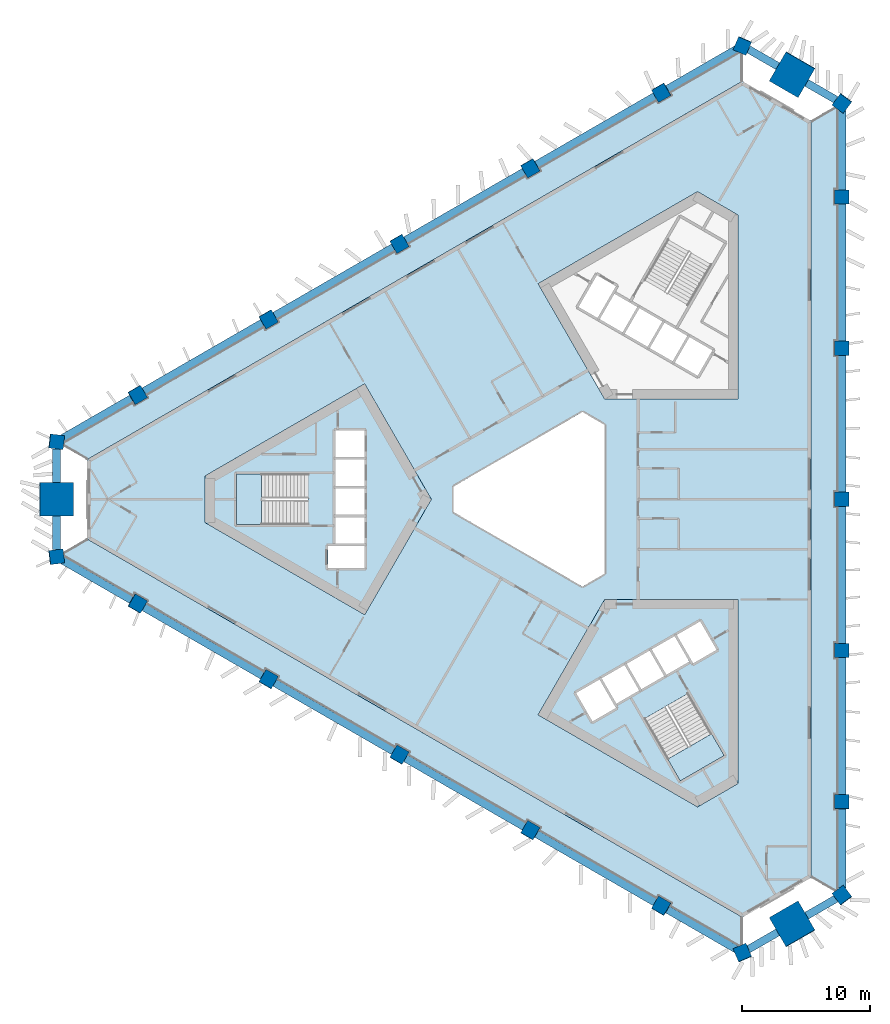
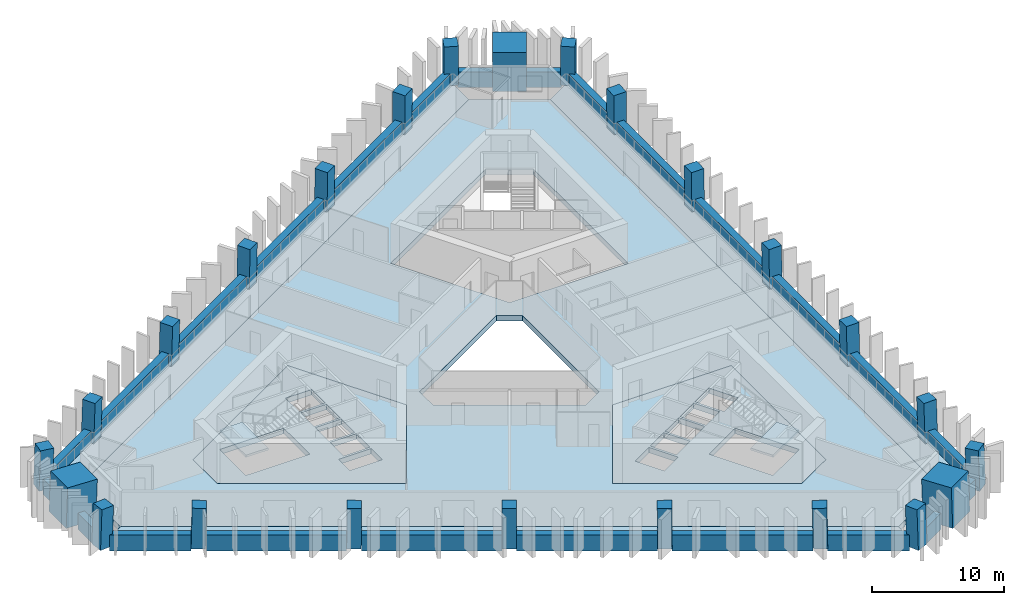
# One storey, part 1 of 11: 24 beams, 24 columns, 8 slabs, 2 elements without a shape of their own.
"""IFC4 building model written with IfcOpenShell, lengths in metres."""

from ifc_helpers import new_model, si_unit, direction, frame, origin, origin_2d, place, context, subcontext, project, spatial, polyline, rectangle, outline, extrude, material, layer, layer_set, material_profile, profile_set, type_object, element, aggregate, save


model = new_model("IFC4")

# Units and contexts
model_context = context("Model", 3, precision=1e-05, world=origin(), true_north=direction((0.0, 1.0)))
body_context = subcontext(model_context, "Body", "Model", "MODEL_VIEW")
ifc_project = project(units=[si_unit("LENGTHUNIT", "METRE"), si_unit("AREAUNIT", "SQUARE_METRE"), si_unit("VOLUMEUNIT", "CUBIC_METRE"), si_unit("PLANEANGLEUNIT", "RADIAN"), si_unit("MASSUNIT", "GRAM", prefix="KILO")], contexts=[model_context])

# Site, building, storey
site_placement = place(None, origin())
site = spatial("IfcSite", under=ifc_project, at=site_placement, CompositionType="ELEMENT")
building_placement = place(site_placement, origin())
building = spatial("IfcBuilding", under=site, at=building_placement, Name="Jabali Bay Hotel Tower and Convention Centre", CompositionType="ELEMENT")
storey_placement = place(building_placement, frame((0.0, 0.0, 83.199951171875)))
storey = spatial("IfcBuildingStorey", under=building, at=storey_placement, Name="L19", CompositionType="ELEMENT", Elevation=83.199951171875)

# Columns
ifc_material_1 = material(Name="Concrete C60", Category="concrete")
ifc_material_profile_1 = material_profile(ifc_material_1, rectangle(XDim=1.10009765625, YDim=1.10009765625, at=origin_2d()), Name="Frame column 1100")
ifc_profile_set_1 = profile_set([ifc_material_profile_1], Name="Concrete C60")
column_type_1 = type_object("IfcColumnType", Name="Frame column 1100", PredefinedType="COLUMN", material=ifc_profile_set_1)
column_1_placement = place(storey_placement, frame((83.90283203125, 111.67041015625, 0.0), z_axis=(-0.00837646992, -0.028097450282, 0.999570091609), x_axis=(0.866168540849, 0.499298149106, 0.021293593943)))
element("IfcColumn", 1, at=column_1_placement, inside=storey, type_object=column_type_1, Name="FC2 F1.1 L19", PredefinedType="COLUMN", context=body_context, shape_type="SweptSolid", body=[
    extrude(rectangle(XDim=1.10009765625, YDim=1.10009765625, at=origin_2d()), origin(), (0.0, 0.0, 1.0), 3.70166015625),
])
column_2_placement = place(storey_placement, frame((73.70751953125, 105.7841796875, 0.0), z_axis=(0.000857578916, -0.022824792675, 0.999739112668), x_axis=(0.866054076895, 0.49983648719, 0.010668737814)))
element("IfcColumn", 2, at=column_2_placement, inside=storey, type_object=column_type_1, Name="FC2 F1.2 L19", PredefinedType="COLUMN", context=body_context, shape_type="SweptSolid", body=[
    extrude(rectangle(XDim=1.10009765625, YDim=1.10009765625, at=origin_2d()), origin(), (0.0, 0.0, 1.0), 3.700927734375),
])
column_3_placement = place(storey_placement, frame((63.511962890625, 99.897705078125, 0.0), z_axis=(0.010093620709, -0.017482414954, 0.999796221231), x_axis=(-0.499897086036, 0.865849517735, 0.020187025824)))
element("IfcColumn", 3, at=column_3_placement, inside=storey, type_object=column_type_1, Name="FC2 F1.3 L19", PredefinedType="COLUMN", context=body_context, shape_type="SweptSolid", body=[
    extrude(rectangle(XDim=1.10009765625, YDim=1.10009765625, at=origin_2d()), origin(), (0.0, 0.0, 1.0), 3.70068359375),
])
column_4_placement = place(storey_placement, frame((53.316650390625, 94.011474609375, 0.0), z_axis=(0.019328516974, -0.012138044789, 0.999739504221), x_axis=(-0.500200160538, 0.865674608258, 0.020180981521)))
element("IfcColumn", 4, at=column_4_placement, inside=storey, type_object=column_type_1, Name="FC2 F1.4 L19", PredefinedType="COLUMN", context=body_context, shape_type="SweptSolid", body=[
    extrude(rectangle(XDim=1.10009765625, YDim=1.10009765625, at=origin_2d()), origin(), (0.0, 0.0, 1.0), 3.700927734375),
])
for number, where, z_axis, x_axis, name in (
    (5, (43.12109375, 88.125, 0.0), (0.02855911485, -0.006793507689, 0.999569019734), (-0.500405785832, 0.865555785013, 0.020180003373), "FC2 F1.5 L19"),
    (6, (43.12109375, 71.875, 0.0), (0.02855911485, 0.006793507689, 0.999569019734), (-0.865319840559, 0.500766443848, 0.021319996519), "FC2 F2.1 L19"),
):
    element("IfcColumn", number, at=place(storey_placement, frame(where, z_axis=z_axis, x_axis=x_axis)), inside=storey, type_object=column_type_1, Name=name, PredefinedType="COLUMN", context=body_context, shape_type="SweptSolid", body=[
        extrude(rectangle(XDim=1.10009765625, YDim=1.10009765625, at=origin_2d()), origin(), (0.0, 0.0, 1.0), 3.70166015625),
    ])
column_5_placement = place(storey_placement, frame((53.316650390625, 65.988525390625, 0.0), z_axis=(0.019328516974, 0.012138044789, 0.999739504221), x_axis=(-0.865694061334, 0.500459928951, 0.010660754407)))
element("IfcColumn", 7, at=column_5_placement, inside=storey, type_object=column_type_1, Name="FC2 F2.2 L19", PredefinedType="COLUMN", context=body_context, shape_type="SweptSolid", body=[
    extrude(rectangle(XDim=1.10009765625, YDim=1.10009765625, at=origin_2d()), origin(), (0.0, 0.0, 1.0), 3.700927734375),
])
column_6_placement = place(storey_placement, frame((63.511962890625, 60.102294921875, 0.0), z_axis=(0.010093620709, 0.017482414954, 0.999796221231), x_axis=(-0.866025993948, 0.499998977805, 1.48331e-07)))
element("IfcColumn", 8, at=column_6_placement, inside=storey, type_object=column_type_1, Name="FC2 F2.3 L19", PredefinedType="COLUMN", context=body_context, shape_type="SweptSolid", body=[
    extrude(rectangle(XDim=1.10009765625, YDim=1.10009765625, at=origin_2d()), origin(), (0.0, 0.0, 1.0), 3.70068359375),
])
column_7_placement = place(storey_placement, frame((73.70751953125, 54.2158203125, 0.0), z_axis=(0.000857578916, 0.022824792675, 0.999739112668), x_axis=(-0.499949597911, -0.865818985073, 0.020196153983)))
element("IfcColumn", 9, at=column_7_placement, inside=storey, type_object=column_type_1, Name="FC2 F2.4 L19", PredefinedType="COLUMN", context=body_context, shape_type="SweptSolid", body=[
    extrude(rectangle(XDim=1.10009765625, YDim=1.10009765625, at=origin_2d()), origin(), (0.0, 0.0, 1.0), 3.700927734375),
])
for number, where, z_axis, x_axis, name in (
    (10, (83.90283203125, 48.32958984375, 0.0), (-0.00837646992, 0.028097450282, 0.999570091609), (-0.49968179234, -0.865974532874, 0.020154771585), "FC2 F2.5 L19"),
    (11, (97.975830078125, 56.45458984375, 0.0), (-0.020116730082, 0.021303946939, 0.999570637332), (-0.001404824777, -0.999772568637, 0.0212799781), "FC2 F0.1 L19"),
):
    element("IfcColumn", number, at=place(storey_placement, frame(where, z_axis=z_axis, x_axis=x_axis)), inside=storey, type_object=column_type_1, Name=name, PredefinedType="COLUMN", context=body_context, shape_type="SweptSolid", body=[
        extrude(rectangle(XDim=1.10009765625, YDim=1.10009765625, at=origin_2d()), origin(), (0.0, 0.0, 1.0), 3.70166015625),
    ])
column_8_placement = place(storey_placement, frame((97.975830078125, 68.227294921875, 0.0), z_axis=(-0.020120147678, 0.010686766963, 0.999740452652), x_axis=(-0.002377558037, -0.999940555798, 0.010641056736)))
element("IfcColumn", 12, at=column_8_placement, inside=storey, type_object=column_type_1, Name="FC2 F0.2 L19", PredefinedType="COLUMN", context=body_context, shape_type="SweptSolid", body=[
    extrude(rectangle(XDim=1.10009765625, YDim=1.10009765625, at=origin_2d()), origin(), (0.0, 0.0, 1.0), 3.700927734375),
])
column_9_placement = place(storey_placement, frame((97.975830078125, 80.0, 0.0), z_axis=(-0.020121296707, 0.0, 0.999797546216), x_axis=(0.0, -1.0, 0.0)))
element("IfcColumn", 13, at=column_9_placement, inside=storey, type_object=column_type_1, Name="FC2 F0.3 L19", PredefinedType="COLUMN", context=body_context, shape_type="SweptSolid", body=[
    extrude(rectangle(XDim=1.10009765625, YDim=1.10009765625, at=origin_2d()), origin(), (0.0, 0.0, 1.0), 3.70068359375),
])
column_10_placement = place(storey_placement, frame((97.975830078125, 91.772705078125, 0.0), z_axis=(-0.020120147678, -0.010686766963, 0.999740452652), x_axis=(0.999794742372, 0.002162841315, 0.02014436006)))
element("IfcColumn", 14, at=column_10_placement, inside=storey, type_object=column_type_1, Name="FC2 F0.4 L19", PredefinedType="COLUMN", context=body_context, shape_type="SweptSolid", body=[
    extrude(rectangle(XDim=1.10009765625, YDim=1.10009765625, at=origin_2d()), origin(), (0.0, 0.0, 1.0), 3.700927734375),
])
column_11_placement = place(storey_placement, frame((97.975830078125, 103.54541015625, 0.0), z_axis=(-0.020116730082, -0.021303946939, 0.999570637332), x_axis=(0.999796651144, 0.000976138023, 0.020142083219)))
element("IfcColumn", 15, at=column_11_placement, inside=storey, type_object=column_type_1, Name="FC2 F0.5 L19", PredefinedType="COLUMN", context=body_context, shape_type="SweptSolid", body=[
    extrude(rectangle(XDim=1.10009765625, YDim=1.10009765625, at=origin_2d()), origin(), (0.0, 0.0, 1.0), 3.70166015625),
])
for number, where, z_axis, x_axis, name in (
    (16, (97.975830078125, 49.159423828125, 0.0), (-0.020112863473, 0.028949334638, 0.999378511249), (-0.802310416171, -0.596905928445, 0.001143980578), "FC2 V0 L19"),
    (17, (97.975830078125, 110.840576171875, 0.0), (-0.020112863473, -0.028949334638, 0.999378511249), (0.596568075602, 0.801788780547, 0.035231840166), "FC2 V1 L19"),
    (18, (90.220947265625, 115.318115234375, 0.0), (-0.015035141917, -0.031982648376, 0.99937533225), (0.918310624747, -0.395858915269, 0.001147030586), "FC2 V2 L19"),
    (19, (36.80322265625, 84.4775390625, 0.0), (0.035213880193, -0.00303340541, 0.999375195356), (-0.992377772026, 0.118061232181, 0.035325671194), "FC2 V3 L19"),
    (20, (36.80322265625, 75.5224609375, 0.0), (0.035213880193, 0.00303340541, 0.999375195356), (-0.118094624057, 0.993001683738, 0.001147109983), "FC2 V4 L19"),
    (21, (90.220947265625, 44.681884765625, 0.0), (-0.015035141917, 0.031982648376, 0.99937533225), (0.395574949895, -0.917754231483, 0.035321800782), "FC2 V5 L19"),
):
    element("IfcColumn", number, at=place(storey_placement, frame(where, z_axis=z_axis, x_axis=x_axis)), inside=storey, type_object=column_type_1, Name=name, PredefinedType="COLUMN", context=body_context, shape_type="SweptSolid", body=[
        extrude(rectangle(XDim=1.10009765625, YDim=1.10009765625, at=origin_2d()), origin(), (0.0, 0.0, 1.0), 3.7021484375),
    ])
ifc_material_2 = material(Name="Concrete C70", Category="concrete")
ifc_material_profile_2 = material_profile(ifc_material_2, rectangle(XDim=2.60009765625, YDim=2.60009765625, at=origin_2d()), Name="Mega column 2600")
ifc_profile_set_2 = profile_set([ifc_material_profile_2], Name="Concrete C70")
column_type_2 = type_object("IfcColumnType", Name="Mega column 2600", PredefinedType="COLUMN", material=ifc_profile_set_2)
for number, where, z_axis, x_axis, name in (
    (22, (94.098388671875, 113.079345703125, 0.0), (-0.017607037296, -0.030466109479, 0.999380712447), (0.86581098392, -0.500371202332, 2.457e-09), "MC2 M1 L19"),
    (23, (36.80322265625, 80.0, 0.0), (0.035214042205, 0.0, 0.999379793288), (0.0, 1.0, 0.0), "MC2 M0 L19"),
    (24, (94.098388671875, 46.920654296875, 0.0), (-0.017607037296, 0.030466109479, 0.999380712447), (-0.865809063816, -0.500374524745, 1.32655e-07), "MC2 M2 L19"),
):
    element("IfcColumn", number, at=place(storey_placement, frame(where, z_axis=z_axis, x_axis=x_axis)), inside=storey, type_object=column_type_2, Name=name, PredefinedType="COLUMN", context=body_context, shape_type="SweptSolid", body=[
        extrude(rectangle(XDim=2.60009765625, YDim=2.60009765625, at=origin_2d()), origin(), (0.0, 0.0, 1.0), 3.7021484375),
    ])

# Beams
ifc_material_profile_3 = material_profile(ifc_material_1, rectangle(XDim=0.60009765625, YDim=1.449951171875, at=origin_2d()), Name="Spandrel 600x1450")
ifc_profile_set_3 = profile_set([ifc_material_profile_3], Name="Concrete C60")
beam_type = type_object("IfcBeamType", Name="Spandrel 600x1450", PredefinedType="SPANDREL", material=ifc_profile_set_3)
beam_1_placement = place(storey_placement, frame((92.966064453125, 113.718017578125, 0.375), z_axis=(-0.86607259277, 0.49991825737, 0.0), x_axis=(-0.49991825737, -0.86607259277, 0.0)))
element("IfcBeam", 25, at=beam_1_placement, inside=storey, type_object=beam_type, Name="Spandrel M1-V2 L19", PredefinedType="SPANDREL", context=body_context, shape_type="SweptSolid", body=[
    extrude(rectangle(XDim=0.60009765625, YDim=1.449951171875, at=origin_2d()), origin(), (0.0, 0.0, 1.0), 2.62646484375),
])
beam_2_placement = place(storey_placement, frame((89.73876953125, 115.031005859375, 0.375), z_axis=(-0.866016844604, -0.500014824642, 0.0), x_axis=(0.500014824642, -0.866016844604, 0.0)))
element("IfcBeam", 26, at=beam_2_placement, inside=storey, type_object=beam_type, Name="Spandrel V2-F1.1 L19", PredefinedType="SPANDREL", context=body_context, shape_type="SweptSolid", body=[
    extrude(rectangle(XDim=0.60009765625, YDim=1.449951171875, at=origin_2d()), origin(), (0.0, 0.0, 1.0), 6.192138671875),
])
beam_3_placement = place(storey_placement, frame((83.423583984375, 111.385009765625, 0.375), z_axis=(-0.866023629481, -0.500003073171, 0.0), x_axis=(0.500003073171, -0.866023629481, 0.0)))
element("IfcBeam", 27, at=beam_3_placement, inside=storey, type_object=beam_type, Name="Spandrel F1.1-F1.2 L19", PredefinedType="SPANDREL", context=body_context, shape_type="SweptSolid", body=[
    extrude(rectangle(XDim=0.60009765625, YDim=1.449951171875, at=origin_2d()), origin(), (0.0, 0.0, 1.0), 10.6689453125),
])
beam_4_placement = place(storey_placement, frame((73.2314453125, 105.50048828125, 0.375), z_axis=(-0.866027817511, -0.499995819279, 0.0), x_axis=(0.499995819279, -0.866027817511, 0.0)))
element("IfcBeam", 28, at=beam_4_placement, inside=storey, type_object=beam_type, Name="Spandrel F1.2-F1.3 L19", PredefinedType="SPANDREL", context=body_context, shape_type="SweptSolid", body=[
    extrude(rectangle(XDim=0.60009765625, YDim=1.449951171875, at=origin_2d()), origin(), (0.0, 0.0, 1.0), 10.66845703125),
])
beam_5_placement = place(storey_placement, frame((63.03955078125, 99.6162109375, 0.375), z_axis=(-0.866023629481, -0.500003073171, 0.0), x_axis=(0.500003073171, -0.866023629481, 0.0)))
element("IfcBeam", 29, at=beam_5_placement, inside=storey, type_object=beam_type, Name="Spandrel F1.3-F1.4 L19", PredefinedType="SPANDREL", context=body_context, shape_type="SweptSolid", body=[
    extrude(rectangle(XDim=0.60009765625, YDim=1.449951171875, at=origin_2d()), origin(), (0.0, 0.0, 1.0), 10.6689453125),
])
beam_6_placement = place(storey_placement, frame((52.847412109375, 93.73193359375, 0.375), z_axis=(-0.866017908382, -0.500012982194, 0.0), x_axis=(0.500012982194, -0.866017908382, 0.0)))
element("IfcBeam", 30, at=beam_6_placement, inside=storey, type_object=beam_type, Name="Spandrel F1.4-F1.5 L19", PredefinedType="SPANDREL", context=body_context, shape_type="SweptSolid", body=[
    extrude(rectangle(XDim=0.60009765625, YDim=1.449951171875, at=origin_2d()), origin(), (0.0, 0.0, 1.0), 10.668701171875),
])
beam_7_placement = place(storey_placement, frame((42.655517578125, 87.847412109375, 0.375), z_axis=(-0.866026701465, -0.499997752344, 0.0), x_axis=(0.499997752344, -0.866026701465, 0.0)))
element("IfcBeam", 31, at=beam_7_placement, inside=storey, type_object=beam_type, Name="Spandrel F1.5-V3 L19", PredefinedType="SPANDREL", context=body_context, shape_type="SweptSolid", body=[
    extrude(rectangle(XDim=0.60009765625, YDim=1.449951171875, at=origin_2d()), origin(), (0.0, 0.0, 1.0), 6.1923828125),
])
for number, where, z_axis, x_axis, name in (
    (32, (36.81640625, 83.92626953125, 0.375), (0.0, -1.0, 0.0), (1.0, 0.0, 0.0), "Spandrel V3-M0 L19"),
    (33, (36.81640625, 78.699951171875, 0.375), (0.0, -1.0, 0.0), (1.0, 0.0, 0.0), "Spandrel M0-V4 L19"),
):
    element("IfcBeam", number, at=place(storey_placement, frame(where, z_axis=z_axis, x_axis=x_axis)), inside=storey, type_object=beam_type, Name=name, PredefinedType="SPANDREL", context=body_context, shape_type="SweptSolid", body=[
        extrude(rectangle(XDim=0.60009765625, YDim=1.449951171875, at=origin_2d()), origin(), (0.0, 0.0, 1.0), 2.626220703125),
    ])
beam_8_placement = place(storey_placement, frame((37.292724609375, 75.248779296875, 0.375), z_axis=(0.866026701465, -0.499997752344, 0.0), x_axis=(0.499997752344, 0.866026701465, 0.0)))
element("IfcBeam", 34, at=beam_8_placement, inside=storey, type_object=beam_type, Name="Spandrel V4-F2.1 L19", PredefinedType="SPANDREL", context=body_context, shape_type="SweptSolid", body=[
    extrude(rectangle(XDim=0.60009765625, YDim=1.449951171875, at=origin_2d()), origin(), (0.0, 0.0, 1.0), 6.1923828125),
])
beam_9_placement = place(storey_placement, frame((43.608154296875, 71.6025390625, 0.375), z_axis=(0.866017908382, -0.500012982194, 0.0), x_axis=(0.500012982194, 0.866017908382, 0.0)))
element("IfcBeam", 35, at=beam_9_placement, inside=storey, type_object=beam_type, Name="Spandrel F2.1-F2.2 L19", PredefinedType="SPANDREL", context=body_context, shape_type="SweptSolid", body=[
    extrude(rectangle(XDim=0.60009765625, YDim=1.449951171875, at=origin_2d()), origin(), (0.0, 0.0, 1.0), 10.668701171875),
])
beam_10_placement = place(storey_placement, frame((53.800048828125, 65.71826171875, 0.375), z_axis=(0.866023629481, -0.500003073171, 0.0), x_axis=(0.500003073171, 0.866023629481, 0.0)))
element("IfcBeam", 36, at=beam_10_placement, inside=storey, type_object=beam_type, Name="Spandrel F2.2-F2.3 L19", PredefinedType="SPANDREL", context=body_context, shape_type="SweptSolid", body=[
    extrude(rectangle(XDim=0.60009765625, YDim=1.449951171875, at=origin_2d()), origin(), (0.0, 0.0, 1.0), 10.6689453125),
])
beam_11_placement = place(storey_placement, frame((63.9921875, 59.833740234375, 0.375), z_axis=(0.866027817511, -0.499995819279, 0.0), x_axis=(0.499995819279, 0.866027817511, 0.0)))
element("IfcBeam", 37, at=beam_11_placement, inside=storey, type_object=beam_type, Name="Spandrel F2.3-F2.4 L19", PredefinedType="SPANDREL", context=body_context, shape_type="SweptSolid", body=[
    extrude(rectangle(XDim=0.60009765625, YDim=1.449951171875, at=origin_2d()), origin(), (0.0, 0.0, 1.0), 10.66845703125),
])
beam_12_placement = place(storey_placement, frame((74.18408203125, 53.949462890625, 0.375), z_axis=(0.866023629481, -0.500003073171, 0.0), x_axis=(0.500003073171, 0.866023629481, 0.0)))
element("IfcBeam", 38, at=beam_12_placement, inside=storey, type_object=beam_type, Name="Spandrel F2.4-F2.5 L19", PredefinedType="SPANDREL", context=body_context, shape_type="SweptSolid", body=[
    extrude(rectangle(XDim=0.60009765625, YDim=1.449951171875, at=origin_2d()), origin(), (0.0, 0.0, 1.0), 10.6689453125),
])
beam_13_placement = place(storey_placement, frame((84.376220703125, 48.065185546875, 0.375), z_axis=(0.866016844604, -0.500014824642, 0.0), x_axis=(0.500014824642, 0.866016844604, 0.0)))
element("IfcBeam", 39, at=beam_13_placement, inside=storey, type_object=beam_type, Name="Spandrel F2.5-V5 L19", PredefinedType="SPANDREL", context=body_context, shape_type="SweptSolid", body=[
    extrude(rectangle(XDim=0.60009765625, YDim=1.449951171875, at=origin_2d()), origin(), (0.0, 0.0, 1.0), 6.192138671875),
])
beam_14_placement = place(storey_placement, frame((90.69140625, 44.968994140625, 0.375), z_axis=(0.86607259277, 0.49991825737, 0.0), x_axis=(-0.49991825737, 0.86607259277, 0.0)))
element("IfcBeam", 40, at=beam_14_placement, inside=storey, type_object=beam_type, Name="Spandrel V5-M2 L19", PredefinedType="SPANDREL", context=body_context, shape_type="SweptSolid", body=[
    extrude(rectangle(XDim=0.60009765625, YDim=1.449951171875, at=origin_2d()), origin(), (0.0, 0.0, 1.0), 2.62646484375),
])
beam_15_placement = place(storey_placement, frame((95.217529296875, 47.58203125, 0.375), z_axis=(0.866009105372, 0.500028228617, 0.0), x_axis=(-0.500028228617, 0.866009105372, 0.0)))
element("IfcBeam", 41, at=beam_15_placement, inside=storey, type_object=beam_type, Name="Spandrel M2-V0 L19", PredefinedType="SPANDREL", context=body_context, shape_type="SweptSolid", body=[
    extrude(rectangle(XDim=0.60009765625, YDim=1.449951171875, at=origin_2d()), origin(), (0.0, 0.0, 1.0), 2.626220703125),
])
beam_16_placement = place(storey_placement, frame((97.96826171875, 49.72021484375, 0.375), z_axis=(0.0, 1.0, 0.0), x_axis=(-1.0, 0.0, 0.0)))
element("IfcBeam", 42, at=beam_16_placement, inside=storey, type_object=beam_type, Name="Spandrel V0-F0.1 L19", PredefinedType="SPANDREL", context=body_context, shape_type="SweptSolid", body=[
    extrude(rectangle(XDim=0.60009765625, YDim=1.449951171875, at=origin_2d()), origin(), (0.0, 0.0, 1.0), 6.1923828125),
])
for number, where, z_axis, x_axis, name in (
    (43, (97.96826171875, 57.0126953125, 0.375), (0.0, 1.0, 0.0), (-1.0, 0.0, 0.0), "Spandrel F0.1-F0.2 L19"),
    (44, (97.96826171875, 68.78125, 0.375), (0.0, 1.0, 0.0), (-1.0, 0.0, 0.0), "Spandrel F0.2-F0.3 L19"),
    (45, (97.96826171875, 80.550048828125, 0.375), (0.0, 1.0, 0.0), (-1.0, 0.0, 0.0), "Spandrel F0.3-F0.4 L19"),
    (46, (97.96826171875, 92.318603515625, 0.375), (0.0, 1.0, 0.0), (-1.0, 0.0, 0.0), "Spandrel F0.4-F0.5 L19"),
):
    element("IfcBeam", number, at=place(storey_placement, frame(where, z_axis=z_axis, x_axis=x_axis)), inside=storey, type_object=beam_type, Name=name, PredefinedType="SPANDREL", context=body_context, shape_type="SweptSolid", body=[
        extrude(rectangle(XDim=0.60009765625, YDim=1.449951171875, at=origin_2d()), origin(), (0.0, 0.0, 1.0), 10.668701171875),
    ])
beam_17_placement = place(storey_placement, frame((97.96826171875, 104.08740234375, 0.375), z_axis=(0.0, 1.0, 0.0), x_axis=(-1.0, 0.0, 0.0)))
element("IfcBeam", 47, at=beam_17_placement, inside=storey, type_object=beam_type, Name="Spandrel F0.5-V1 L19", PredefinedType="SPANDREL", context=body_context, shape_type="SweptSolid", body=[
    extrude(rectangle(XDim=0.60009765625, YDim=1.449951171875, at=origin_2d()), origin(), (0.0, 0.0, 1.0), 6.1923828125),
])
beam_18_placement = place(storey_placement, frame((97.491943359375, 111.104736328125, 0.375), z_axis=(-0.866009105372, 0.500028228617, 0.0), x_axis=(-0.500028228617, -0.866009105372, 0.0)))
element("IfcBeam", 48, at=beam_18_placement, inside=storey, type_object=beam_type, Name="Spandrel V1-M1 L19", PredefinedType="SPANDREL", context=body_context, shape_type="SweptSolid", body=[
    extrude(rectangle(XDim=0.60009765625, YDim=1.449951171875, at=origin_2d()), origin(), (0.0, 0.0, 1.0), 2.626220703125),
])

# Slabs
ifc_material_3 = material(Name="Concrete C40", Category="concrete")
ifc_layer_1 = layer(ifc_material_3, 0.5)
ifc_layer_set_1 = layer_set([ifc_layer_1], Name="Concrete C40")
slab_type_1 = type_object("IfcSlabType", Name="Core floor slab 500", PredefinedType="FLOOR", material=ifc_layer_set_1)
slab_1_placement = place(storey_placement, frame((0.0, 0.0, -0.5)))
element("IfcSlab", 49, at=slab_1_placement, inside=storey, type_object=slab_type_1, Name="Core floor slab 1 L19", PredefinedType="FLOOR", context=body_context, shape_type="SweptSolid", body=[
    extrude(outline(polyline([(66.0, 80.0), (60.81005859375, 88.9892578125), (48.39697265625, 81.82275390625), (48.39697265625, 78.17724609375), (60.81005859375, 71.0107421875), (66.0, 80.0)]), holes=[polyline([(60.800048828125, 74.64990234375), (60.800048828125, 76.35009765625), (57.949951171875, 76.35009765625), (57.949951171875, 74.64990234375), (60.800048828125, 74.64990234375)]), polyline([(58.52001953125, 76.550048828125), (60.800048828125, 76.550048828125), (60.800048828125, 78.60009765625), (58.52001953125, 78.60009765625), (58.52001953125, 76.550048828125)]), polyline([(58.52001953125, 78.800048828125), (60.800048828125, 78.800048828125), (60.800048828125, 80.85009765625), (58.52001953125, 80.85009765625), (58.52001953125, 78.800048828125)]), polyline([(56.409912109375, 81.97509765625), (50.820068359375, 81.97509765625), (50.820068359375, 78.02490234375), (56.409912109375, 78.02490234375), (56.409912109375, 81.97509765625)]), polyline([(58.52001953125, 81.050048828125), (60.800048828125, 81.050048828125), (60.800048828125, 83.10009765625), (58.52001953125, 83.10009765625), (58.52001953125, 81.050048828125)]), polyline([(58.52001953125, 83.300048828125), (60.800048828125, 83.300048828125), (60.800048828125, 85.35009765625), (58.52001953125, 85.35009765625), (58.52001953125, 83.300048828125)])]), origin(), (0.0, 0.0, 1.0), 0.5),
])
slab_2_placement = place(storey_placement, frame((0.0, 0.0, -0.5)))
element("IfcSlab", 50, at=slab_2_placement, inside=storey, type_object=slab_type_1, Name="Core floor slab 3 L19", PredefinedType="FLOOR", context=body_context, shape_type="SweptSolid", body=[
    extrude(outline(polyline([(79.5, 72.205810546875), (74.31005859375, 63.21630859375), (86.72314453125, 56.0498046875), (89.8798828125, 57.872314453125), (89.8798828125, 72.205810546875), (79.5, 72.205810546875)]), holes=[polyline([(82.584716796875, 62.9130859375), (85.379638671875, 58.072021484375), (88.80029296875, 60.047119140625), (86.00537109375, 64.88818359375), (82.584716796875, 62.9130859375)]), polyline([(80.365478515625, 63.756591796875), (79.090576171875, 65.96484375), (77.27197265625, 64.9150390625), (78.546875, 62.70654296875), (80.365478515625, 63.756591796875)]), polyline([(82.17919921875, 65.115478515625), (81.0390625, 67.08984375), (79.263671875, 66.06494140625), (80.40380859375, 64.09033203125), (82.17919921875, 65.115478515625)]), polyline([(82.98779296875, 68.21484375), (81.21240234375, 67.18994140625), (82.352294921875, 65.21533203125), (84.127685546875, 66.240478515625), (82.98779296875, 68.21484375)]), polyline([(86.076171875, 67.365478515625), (84.936279296875, 69.33984375), (83.160888671875, 68.31494140625), (84.30078125, 66.34033203125), (86.076171875, 67.365478515625)]), polyline([(88.203125, 68.281494140625), (86.927978515625, 70.489990234375), (85.109375, 69.43994140625), (86.384521484375, 67.231689453125), (88.203125, 68.281494140625)])]), origin(), (0.0, 0.0, 1.0), 0.5),
])
ifc_layer_2 = layer(ifc_material_3, 0.199951171875)
ifc_layer_set_2 = layer_set([ifc_layer_2], Name="Concrete C40")
slab_type_2 = type_object("IfcSlabType", Name="Loggia slab 200", PredefinedType="FLOOR", material=ifc_layer_set_2)
slab_3_placement = place(storey_placement, frame((0.0, 0.0, -0.199951171875)))
element("IfcSlab", 51, at=slab_3_placement, inside=storey, type_object=slab_type_2, Name="Loggia slab east face L19", PredefinedType="FLOOR", context=body_context, shape_type="SweptSolid", body=[
    extrude(outline(polyline([(95.575927734375, 109.455078125), (97.457275390625, 110.541259765625), (97.676025390625, 110.37841796875), (97.676025390625, 104.095458984375), (97.426025390625, 104.095458984375), (97.426025390625, 102.995361328125), (97.676025390625, 102.995361328125), (97.676025390625, 92.32275390625), (97.426025390625, 92.32275390625), (97.426025390625, 91.22265625), (97.676025390625, 91.22265625), (97.676025390625, 80.550048828125), (97.426025390625, 80.550048828125), (97.426025390625, 79.449951171875), (97.676025390625, 79.449951171875), (97.676025390625, 68.77734375), (97.426025390625, 68.77734375), (97.426025390625, 67.67724609375), (97.676025390625, 67.67724609375), (97.676025390625, 57.004638671875), (97.426025390625, 57.004638671875), (97.426025390625, 55.904541015625), (97.676025390625, 55.904541015625), (97.676025390625, 49.62158203125), (97.457275390625, 49.458740234375), (95.575927734375, 50.544921875), (95.575927734375, 109.455078125)])), origin(), (0.0, 0.0, 1.0), 0.199951171875),
])
slab_4_placement = place(storey_placement, frame((0.0, 0.0, -0.199951171875)))
element("IfcSlab", 52, at=slab_4_placement, inside=storey, type_object=slab_type_2, Name="Loggia slab north-west face L19", PredefinedType="FLOOR", context=body_context, shape_type="SweptSolid", body=[
    extrude(outline(polyline([(39.203125, 83.091796875), (37.32177734375, 84.177978515625), (37.353515625, 84.44873046875), (42.794921875, 87.59033203125), (42.919921875, 87.373779296875), (43.872314453125, 87.923828125), (43.747314453125, 88.14013671875), (52.990234375, 93.4765625), (53.115234375, 93.260009765625), (54.06787109375, 93.81005859375), (53.94287109375, 94.026611328125), (63.185791015625, 99.363037109375), (63.310791015625, 99.146484375), (64.263427734375, 99.696533203125), (64.138427734375, 99.912841796875), (73.381103515625, 105.249267578125), (73.506103515625, 105.03271484375), (74.458740234375, 105.582763671875), (74.333740234375, 105.79931640625), (83.57666015625, 111.1357421875), (83.70166015625, 110.919189453125), (84.654296875, 111.46923828125), (84.529296875, 111.685546875), (89.970458984375, 114.8271484375), (90.220947265625, 114.71923828125), (90.220947265625, 112.546875), (39.203125, 83.091796875)])), origin(), (0.0, 0.0, 1.0), 0.199951171875),
])
slab_5_placement = place(storey_placement, frame((0.0, 0.0, -0.199951171875)))
element("IfcSlab", 53, at=slab_5_placement, inside=storey, type_object=slab_type_2, Name="Loggia slab south-west face L19", PredefinedType="FLOOR", context=body_context, shape_type="SweptSolid", body=[
    extrude(outline(polyline([(90.220947265625, 47.453125), (90.220947265625, 45.28076171875), (89.970458984375, 45.1728515625), (84.529296875, 48.314453125), (84.654296875, 48.53076171875), (83.70166015625, 49.080810546875), (83.57666015625, 48.8642578125), (74.333740234375, 54.20068359375), (74.458740234375, 54.417236328125), (73.506103515625, 54.96728515625), (73.381103515625, 54.750732421875), (64.138427734375, 60.087158203125), (64.263427734375, 60.303466796875), (63.310791015625, 60.853515625), (63.185791015625, 60.636962890625), (53.94287109375, 65.973388671875), (54.06787109375, 66.18994140625), (53.115234375, 66.739990234375), (52.990234375, 66.5234375), (43.747314453125, 71.85986328125), (43.872314453125, 72.076171875), (42.919921875, 72.626220703125), (42.794921875, 72.40966796875), (37.353515625, 75.55126953125), (37.32177734375, 75.822021484375), (39.203125, 76.908203125), (90.220947265625, 47.453125)])), origin(), (0.0, 0.0, 1.0), 0.199951171875),
])
ifc_layer_3 = layer(ifc_material_3, 0.5)
ifc_layer_set_3 = layer_set([ifc_layer_3], Name="Concrete C40")
slab_type_3 = type_object("IfcSlabType", Name="Post-tensioned flat slab 500", PredefinedType="FLOOR", material=ifc_layer_set_3)
slab_6_placement = place(storey_placement, frame((0.0, 0.0, -0.5)))
element("IfcSlab", 54, at=slab_6_placement, inside=storey, type_object=slab_type_3, Name="Floor slab L19", PredefinedType="FLOOR", context=body_context, shape_type="SweptSolid", body=[
    extrude(outline(polyline([(90.220947265625, 112.546875), (95.575927734375, 109.455078125), (95.575927734375, 50.544921875), (90.220947265625, 47.453125), (39.203125, 76.908203125), (39.203125, 83.091796875), (90.220947265625, 112.546875)]), holes=[polyline([(67.73193359375, 79.0), (77.76806640625, 73.205810546875), (79.5, 74.205810546875), (79.5, 85.794189453125), (77.76806640625, 86.794189453125), (67.73193359375, 81.0), (67.73193359375, 79.0)]), polyline([(48.39697265625, 78.17724609375), (60.81005859375, 71.0107421875), (66.0, 80.0), (60.81005859375, 88.9892578125), (48.39697265625, 81.82275390625), (48.39697265625, 78.17724609375)]), polyline([(89.8798828125, 102.127685546875), (86.72314453125, 103.9501953125), (74.31005859375, 96.78369140625), (79.5, 87.794189453125), (89.8798828125, 87.794189453125), (89.8798828125, 102.127685546875)]), polyline([(74.31005859375, 63.21630859375), (86.72314453125, 56.0498046875), (89.8798828125, 57.872314453125), (89.8798828125, 72.205810546875), (79.5, 72.205810546875), (74.31005859375, 63.21630859375)])]), origin(), (0.0, 0.0, 1.0), 0.5),
])

# Stair, slab
stair_type = type_object("IfcStairType", Name="Exit stair 1900", PredefinedType="HALF_TURN_STAIR", material=ifc_material_3)
stair_1_placement = place(storey_placement, origin())
stair_1 = element("IfcStair", 55, at=stair_1_placement, inside=storey, type_object=stair_type, Name="L19 Exit Stair 1", PredefinedType="HALF_TURN_STAIR")
ifc_layer_4 = layer(ifc_material_3, 0.199951171875)
ifc_layer_set_4 = layer_set([ifc_layer_4], Name="Concrete C40")
slab_type_4 = type_object("IfcSlabType", Name="Stair landing 200", PredefinedType="LANDING", material=ifc_layer_set_4)
slab_7_placement = place(storey_placement, frame((0.0, 0.0, 1.650146484375)))
slab_7 = element("IfcSlab", 56, at=slab_7_placement, type_object=slab_type_4, Name="ST1 landing 1", PredefinedType="LANDING", context=body_context, shape_type="SweptSolid", body=[
    extrude(outline(polyline([(52.782958984375, 81.97509765625), (50.820068359375, 81.97509765625), (50.820068359375, 78.02490234375), (52.782958984375, 78.02490234375), (52.782958984375, 81.97509765625)])), origin(), (0.0, 0.0, 1.0), 0.199951171875),
])
aggregate(stair_1, [slab_7])

stair_2_placement = place(storey_placement, origin())
stair_2 = element("IfcStair", 57, at=stair_2_placement, inside=storey, type_object=stair_type, Name="L19 Exit Stair 3", PredefinedType="HALF_TURN_STAIR")
slab_8_placement = place(storey_placement, frame((0.0, 0.0, 1.650146484375)))
slab_8 = element("IfcSlab", 58, at=slab_8_placement, type_object=slab_type_4, Name="ST3 landing 1", PredefinedType="LANDING", context=body_context, shape_type="SweptSolid", body=[
    extrude(outline(polyline([(84.398193359375, 59.77197265625), (85.379638671875, 58.072021484375), (88.80029296875, 60.047119140625), (87.81884765625, 61.7470703125), (84.398193359375, 59.77197265625)])), origin(), (0.0, 0.0, 1.0), 0.199951171875),
])
aggregate(stair_2, [slab_8])

save(model, "model.ifc")
